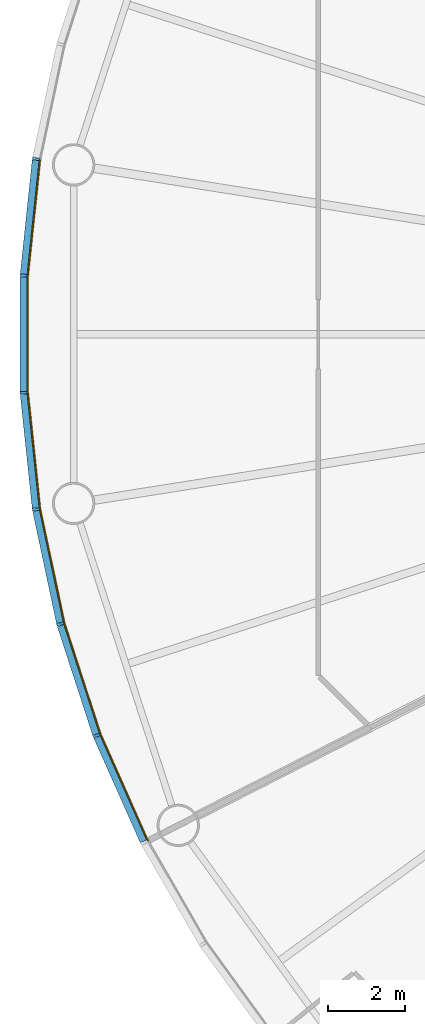
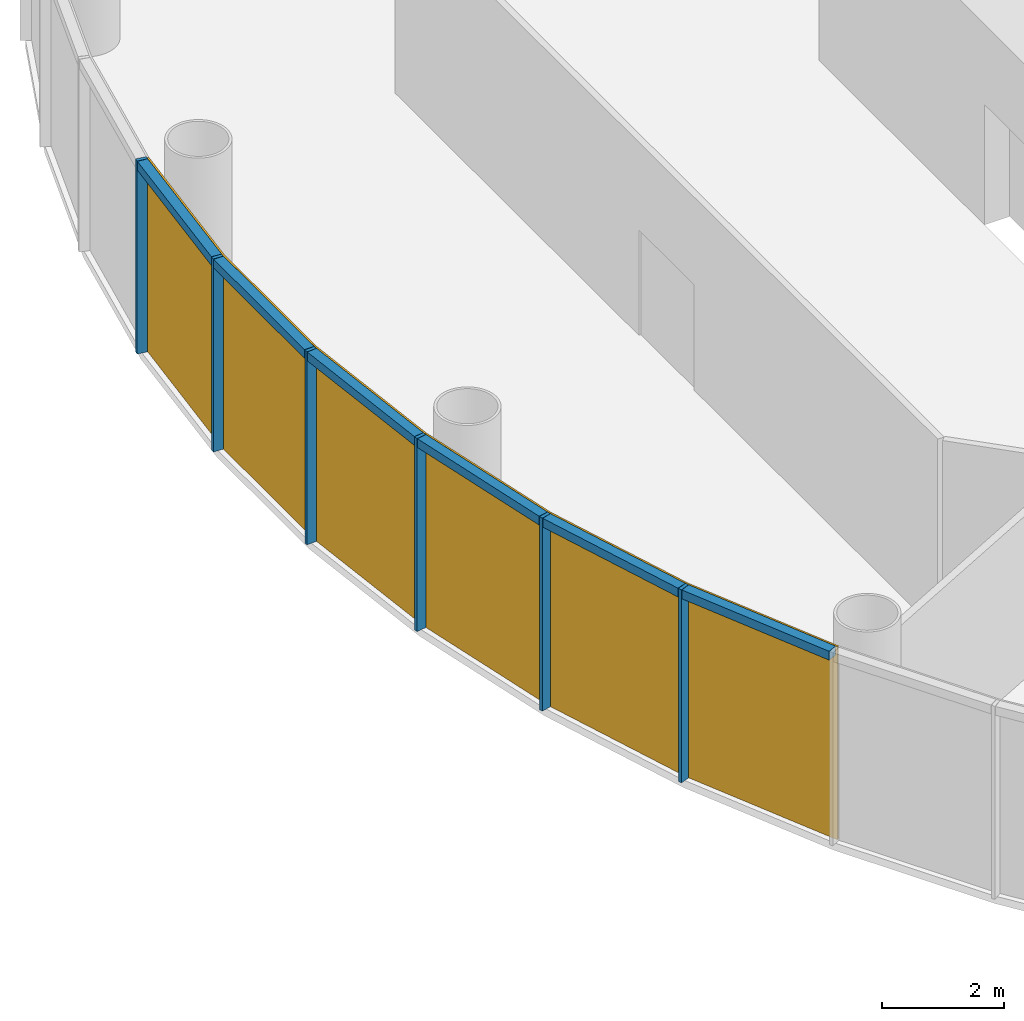
# One storey, part 8 of 13: 12 members, 2 curtain walls.
"""IFC4 building model written with IfcOpenShell, lengths in metres."""

from ifc_helpers import new_model, si_unit, direction, frame, origin, origin_2d, place, context, subcontext, project, spatial, polyline, rectangle, outline, extrude, material, layer, layer_set, material_profile, profile_set, type_object, element, aggregate, save


model = new_model("IFC4")

# Units and contexts
model_context = context("Model", 3, precision=1e-05, world=origin(), true_north=direction((0.0, 1.0)))
body_context = subcontext(model_context, "Body", "Model", "MODEL_VIEW")
ifc_project = project(units=[si_unit("LENGTHUNIT", "METRE"), si_unit("AREAUNIT", "SQUARE_METRE"), si_unit("VOLUMEUNIT", "CUBIC_METRE"), si_unit("PLANEANGLEUNIT", "RADIAN"), si_unit("MASSUNIT", "GRAM", prefix="KILO")], contexts=[model_context])

# Member
ifc_material_1 = material(Name="Anodised aluminium", Category="aluminium")
ifc_material_profile_1 = material_profile(ifc_material_1, rectangle(XDim=0.06494140625, YDim=0.18505859375, at=origin_2d()), Name="Mullion 65 x 185 mm anodised aluminium")
ifc_profile_set_1 = profile_set([ifc_material_profile_1], Name="Anodised aluminium")
member_type_1 = type_object("IfcMemberType", Name="Mullion 65 x 185 mm anodised aluminium", PredefinedType="MULLION", material=ifc_profile_set_1)
site_placement = place(None, origin())
building_placement = place(site_placement, origin())
storey_placement = place(building_placement, frame((0.0, 0.0, 188.0)))
member_1_placement = place(storey_placement, frame((61.265625, 84.551025390625, 0.0), z_axis=(0.0, 0.0, 1.0), x_axis=(-0.15643446504, -0.987688340595, 0.0)))
member_1 = element("IfcMember", 1, at=member_1_placement, type_object=member_type_1, Name="MULLION L43-27", PredefinedType="MULLION", context=body_context, shape_type="SweptSolid", body=[
    extrude(rectangle(XDim=0.06494140625, YDim=0.18505859375, at=origin_2d()), origin(), (0.0, 0.0, 1.0), 3.85009765625),
])

member_2_placement = place(storey_placement, frame((60.947265625, 81.522705078125, 0.0), z_axis=(0.0, 0.0, 1.0), x_axis=(-0.052335956243, -0.998629534755, 0.0)))
member_2 = element("IfcMember", 2, at=member_2_placement, type_object=member_type_1, Name="MULLION L43-28", PredefinedType="MULLION", context=body_context, shape_type="SweptSolid", body=[
    extrude(rectangle(XDim=0.06494140625, YDim=0.18505859375, at=origin_2d()), origin(), (0.0, 0.0, 1.0), 3.85009765625),
])

member_3_placement = place(storey_placement, frame((60.947265625, 78.477294921875, 0.0), z_axis=(0.0, 0.0, 1.0), x_axis=(0.052335956243, -0.998629534755, 0.0)))
member_3 = element("IfcMember", 3, at=member_3_placement, type_object=member_type_1, Name="MULLION L43-29", PredefinedType="MULLION", context=body_context, shape_type="SweptSolid", body=[
    extrude(rectangle(XDim=0.06494140625, YDim=0.18505859375, at=origin_2d()), origin(), (0.0, 0.0, 1.0), 3.85009765625),
])

member_4_placement = place(storey_placement, frame((61.265625, 75.448974609375, 0.0), z_axis=(0.0, 0.0, 1.0), x_axis=(0.15643446504, -0.987688340595, 0.0)))
member_4 = element("IfcMember", 4, at=member_4_placement, type_object=member_type_1, Name="MULLION L43-30", PredefinedType="MULLION", context=body_context, shape_type="SweptSolid", body=[
    extrude(rectangle(XDim=0.06494140625, YDim=0.18505859375, at=origin_2d()), origin(), (0.0, 0.0, 1.0), 3.85009765625),
])

member_5_placement = place(storey_placement, frame((61.898681640625, 72.47021484375, 0.0), z_axis=(0.0, 0.0, 1.0), x_axis=(0.258819045103, -0.965925826289, 0.0)))
member_5 = element("IfcMember", 5, at=member_5_placement, type_object=member_type_1, Name="MULLION L43-31", PredefinedType="MULLION", context=body_context, shape_type="SweptSolid", body=[
    extrude(rectangle(XDim=0.06494140625, YDim=0.18505859375, at=origin_2d()), origin(), (0.0, 0.0, 1.0), 3.85009765625),
])

member_6_placement = place(storey_placement, frame((62.83984375, 69.57421875, 0.0), z_axis=(0.0, 0.0, 1.0), x_axis=(0.358367949545, -0.933580426497, 0.0)))
member_6 = element("IfcMember", 6, at=member_6_placement, type_object=member_type_1, Name="MULLION L43-32", PredefinedType="MULLION", context=body_context, shape_type="SweptSolid", body=[
    extrude(rectangle(XDim=0.06494140625, YDim=0.18505859375, at=origin_2d()), origin(), (0.0, 0.0, 1.0), 3.85009765625),
])

ifc_material_2 = material(Name="Anodised aluminium", Category="aluminium")
ifc_material_profile_2 = material_profile(ifc_material_2, rectangle(XDim=0.18505859375, YDim=0.175048828125, at=origin_2d()), Name="Transom 175 x 185 mm anodised aluminium")
ifc_profile_set_2 = profile_set([ifc_material_profile_2], Name="Anodised aluminium")
member_type_2 = type_object("IfcMemberType", Name="Transom 175 x 185 mm anodised aluminium", PredefinedType="USERDEFINED", material=ifc_profile_set_2)
member_7_placement = place(storey_placement, frame((61.26171875, 84.513916015625, 3.762451171875), z_axis=(-0.104547872381, -0.994519855197, 0.0), x_axis=(0.994519855197, -0.104547872381, 0.0)))
member_7 = element("IfcMember", 7, at=member_7_placement, type_object=member_type_2, Name="TRANSOM L43-27", ObjectType="TRANSOM", PredefinedType="USERDEFINED", context=body_context, shape_type="SweptSolid", body=[
    extrude(rectangle(XDim=0.18505859375, YDim=0.175048828125, at=origin_2d()), origin(), (0.0, 0.0, 1.0), 2.970458984375),
])

member_8_placement = place(storey_placement, frame((60.947265625, 81.4853515625, 3.762451171875), z_axis=(0.0, -1.0, 0.0), x_axis=(1.0, 0.0, 0.0)))
member_8 = element("IfcMember", 8, at=member_8_placement, type_object=member_type_2, Name="TRANSOM L43-28", ObjectType="TRANSOM", PredefinedType="USERDEFINED", context=body_context, shape_type="SweptSolid", body=[
    extrude(rectangle(XDim=0.18505859375, YDim=0.175048828125, at=origin_2d()), origin(), (0.0, 0.0, 1.0), 2.970703125),
])

member_9_placement = place(storey_placement, frame((60.951171875, 78.440185546875, 3.762451171875), z_axis=(0.104547872381, -0.994519855197, 0.0), x_axis=(0.994519855197, 0.104547872381, 0.0)))
member_9 = element("IfcMember", 9, at=member_9_placement, type_object=member_type_2, Name="TRANSOM L43-29", ObjectType="TRANSOM", PredefinedType="USERDEFINED", context=body_context, shape_type="SweptSolid", body=[
    extrude(rectangle(XDim=0.18505859375, YDim=0.175048828125, at=origin_2d()), origin(), (0.0, 0.0, 1.0), 2.970458984375),
])

member_10_placement = place(storey_placement, frame((61.2734375, 75.412353515625, 3.762451171875), z_axis=(0.207861704825, -0.97815822425, 0.0), x_axis=(0.97815822425, 0.207861704825, 0.0)))
member_10 = element("IfcMember", 10, at=member_10_placement, type_object=member_type_2, Name="TRANSOM L43-30", ObjectType="TRANSOM", PredefinedType="USERDEFINED", context=body_context, shape_type="SweptSolid", body=[
    extrude(rectangle(XDim=0.18505859375, YDim=0.175048828125, at=origin_2d()), origin(), (0.0, 0.0, 1.0), 2.970458984375),
])

member_11_placement = place(storey_placement, frame((61.91015625, 72.434814453125, 3.762451171875), z_axis=(0.30901917063, -0.951055809184, 0.0), x_axis=(0.951055809184, 0.30901917063, 0.0)))
member_11 = element("IfcMember", 11, at=member_11_placement, type_object=member_type_2, Name="TRANSOM L43-31", ObjectType="TRANSOM", PredefinedType="USERDEFINED", context=body_context, shape_type="SweptSolid", body=[
    extrude(rectangle(XDim=0.18505859375, YDim=0.175048828125, at=origin_2d()), origin(), (0.0, 0.0, 1.0), 2.970703125),
])

member_12_placement = place(storey_placement, frame((62.85498046875, 69.5400390625, 3.762451171875), z_axis=(0.406687471156, -0.913567348806, 0.0), x_axis=(0.913567348806, 0.406687471156, 0.0)))
member_12 = element("IfcMember", 12, at=member_12_placement, type_object=member_type_2, Name="TRANSOM L43-32", ObjectType="TRANSOM", PredefinedType="USERDEFINED", context=body_context, shape_type="SweptSolid", body=[
    extrude(rectangle(XDim=0.18505859375, YDim=0.175048828125, at=origin_2d()), origin(), (0.0, 0.0, 1.0), 2.970458984375),
])

# Site, building, storey
site = spatial("IfcSite", under=ifc_project, at=site_placement, CompositionType="ELEMENT")
building = spatial("IfcBuilding", under=site, at=building_placement, Name="Entoto Ring Tower", CompositionType="ELEMENT")
storey = spatial("IfcBuildingStorey", under=building, at=storey_placement, Name="L43", CompositionType="ELEMENT", Elevation=188.0)

# Curtain wall
ifc_material_3 = material(Name="Clear low-iron glass", Category="glass")
ifc_layer = layer(ifc_material_3, 0.033935546875)
ifc_layer_set = layer_set([ifc_layer], Name="Clear low-iron glass")
curtain_wall_type = type_object("IfcCurtainWallType", Name="Curtain wall system CW3 glazing 34 mm", PredefinedType="NOTDEFINED", material=ifc_layer_set)
curtain_wall_1_placement = place(storey_placement, origin())
curtain_wall_1 = element("IfcCurtainWall", 13, at=curtain_wall_1_placement, inside=storey, type_object=curtain_wall_type, Name="CW3 L43-10", PredefinedType="NOTDEFINED", context=body_context, shape_type="SweptSolid", body=[
    extrude(outline(polyline([(61.35693359375, 84.53662109375), (61.039794921875, 81.517822265625), (61.039794921875, 78.482177734375), (61.35693359375, 75.46337890625), (61.390625, 75.46875), (61.07373046875, 78.484130859375), (61.07373046875, 81.515869140625), (61.390625, 84.53125), (61.35693359375, 84.53662109375)])), origin(), (0.0, 0.0, 1.0), 3.85009765625),
])

aggregate(curtain_wall_1, [member_1, member_2, member_3, member_7, member_8, member_9])

curtain_wall_2_placement = place(storey_placement, origin())
curtain_wall_2 = element("IfcCurtainWall", 14, at=curtain_wall_2_placement, inside=storey, type_object=curtain_wall_type, Name="CW3 L43-11", PredefinedType="NOTDEFINED", context=body_context, shape_type="SweptSolid", body=[
    extrude(outline(polyline([(61.35693359375, 75.46337890625), (61.988037109375, 72.494140625), (62.92626953125, 69.607421875), (64.160888671875, 66.834228515625), (64.191162109375, 66.849853515625), (62.9580078125, 69.61962890625), (62.02099609375, 72.503173828125), (61.390625, 75.46875), (61.35693359375, 75.46337890625)])), origin(), (0.0, 0.0, 1.0), 3.85009765625),
])

aggregate(curtain_wall_2, [member_4, member_5, member_6, member_10, member_11, member_12])

save(model, "model.ifc")
